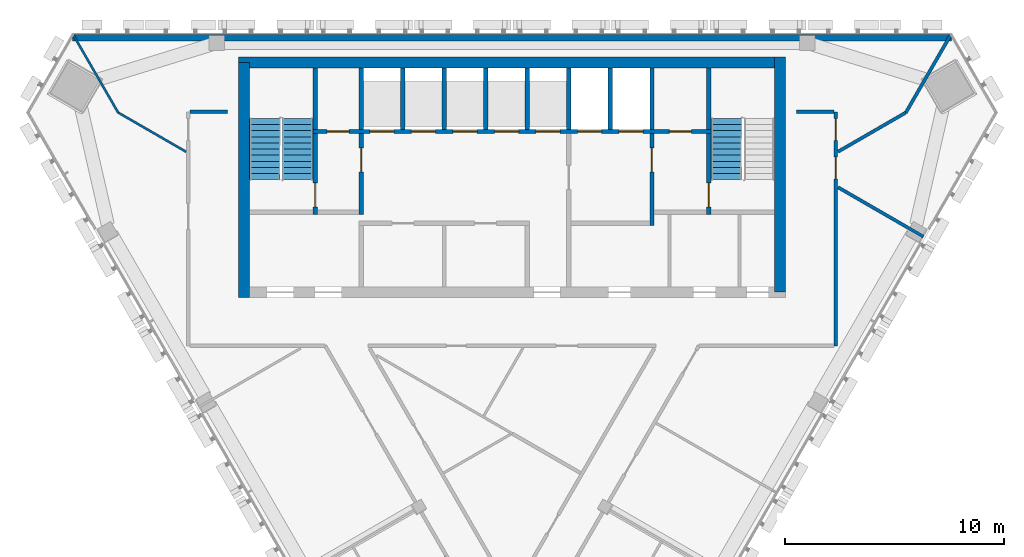
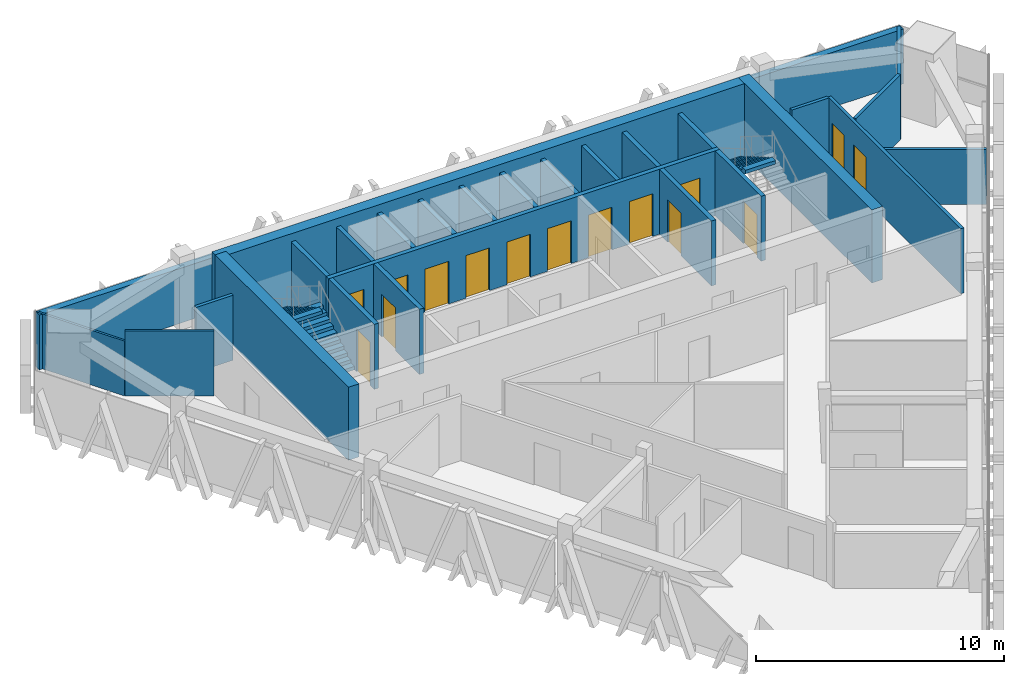
# One storey, part 9 of 12: 27 walls, 15 doors, 3 stair flights, 15 openings, 2 elements without a shape of their own.
"""IFC4 building model written with IfcOpenShell, lengths in metres."""

from ifc_helpers import new_model, si_unit, direction, frame, frame_2d, origin, place, context, subcontext, project, spatial, polyline, rectangle, outline, extrude, material, layer, layer_set, type_object, element, fill, aggregate, save


model = new_model("IFC4")

# Units and contexts
model_context = context("Model", 3, precision=1e-05, world=origin(), true_north=direction((0.0, 1.0)))
body_context = subcontext(model_context, "Body", "Model", "MODEL_VIEW")
ifc_project = project(units=[si_unit("LENGTHUNIT", "METRE"), si_unit("AREAUNIT", "SQUARE_METRE"), si_unit("VOLUMEUNIT", "CUBIC_METRE"), si_unit("PLANEANGLEUNIT", "RADIAN"), si_unit("MASSUNIT", "GRAM", prefix="KILO")], contexts=[model_context])

# Site, building, storey
site_placement = place(None, origin())
site = spatial("IfcSite", under=ifc_project, at=site_placement, CompositionType="ELEMENT")
building_placement = place(site_placement, origin())
building = spatial("IfcBuilding", under=site, at=building_placement, Name="Altiplano Prism Tower", CompositionType="ELEMENT")
storey_placement = place(building_placement, frame((0.0, 0.0, 298.60009765625)))
storey = spatial("IfcBuildingStorey", under=building, at=storey_placement, Name="L77", CompositionType="ELEMENT", Elevation=298.60009765625)

# Walls
ifc_material_1 = material(Name="Concrete C60/75", Category="concrete")
ifc_layer_1 = layer(ifc_material_1, 0.5)
ifc_layer_set_1 = layer_set([ifc_layer_1], Name="Concrete C60/75")
wall_type_1 = type_object("IfcWallType", Name="Core wall 500", PredefinedType="SHEAR", material=ifc_layer_set_1)
wall_1_placement = place(storey_placement, frame((97.25, 93.14990234375, 0.0), z_axis=(0.0, 0.0, 1.0), x_axis=(0.0, 1.0, 0.0)))
element("IfcWall", 1, at=wall_1_placement, inside=storey, type_object=wall_type_1, Name="Core wall E L77", PredefinedType="SHEAR", context=body_context, shape_type="SweptSolid", body=[
    extrude(rectangle(XDim=10.75, YDim=0.5, at=frame_2d((5.375, 0.0))), origin(), (0.0, 0.0, 1.0), 3.599853515625),
])
wall_2_placement = place(storey_placement, frame((97.25, 103.64990234375, 0.0), z_axis=(0.0, 0.0, 1.0), x_axis=(-1.0, 0.0, 0.0)))
element("IfcWall", 2, at=wall_2_placement, inside=storey, type_object=wall_type_1, Name="Core wall N L77", PredefinedType="SHEAR", context=body_context, shape_type="SweptSolid", body=[
    extrude(rectangle(XDim=24.75, YDim=0.5, at=frame_2d((12.375, 0.0))), origin(), (0.0, 0.0, 1.0), 3.599853515625),
])
wall_3_placement = place(storey_placement, frame((72.75, 103.64990234375, 0.0), z_axis=(0.0, 0.0, 1.0), x_axis=(0.0, -1.0, 0.0)))
element("IfcWall", 3, at=wall_3_placement, inside=storey, type_object=wall_type_1, Name="Core wall W L77", PredefinedType="SHEAR", context=body_context, shape_type="SweptSolid", body=[
    extrude(rectangle(XDim=10.75, YDim=0.5, at=frame_2d((5.375, 0.0))), origin(), (0.0, 0.0, 1.0), 3.599853515625),
])
ifc_material_2 = material(Name="Plasterboard on steel stud", Category="steel")
ifc_layer_2 = layer(ifc_material_2, 0.10009765625)
ifc_layer_set_2 = layer_set([ifc_layer_2], Name="Plasterboard on steel stud")
wall_type_2 = type_object("IfcWallType", Name="Partition 100 wet", PredefinedType="PARTITIONING", material=ifc_layer_set_2)
wall_4_placement = place(storey_placement, frame((70.099365234375, 99.5712890625, 0.0), z_axis=(0.0, 0.0, 1.0), x_axis=(-0.866036302968, 0.499981121585, 0.0)))
element("IfcWall", 4, at=wall_4_placement, inside=storey, type_object=wall_type_2, Name="Partition P03 L77 017", PredefinedType="PARTITIONING", context=body_context, shape_type="SweptSolid", body=[
    extrude(rectangle(XDim=3.594970703125, YDim=0.10009765625, at=frame_2d((1.79736328125, 0.0))), origin(), (0.0, 0.0, 1.0), 3.199951171875),
])
wall_5_placement = place(storey_placement, frame((66.986083984375, 101.36865234375, 0.0), z_axis=(0.0, 0.0, 1.0), x_axis=(-0.500009237349, 0.866020070533, 0.0)))
element("IfcWall", 5, at=wall_5_placement, inside=storey, type_object=wall_type_2, Name="Partition P03 L77 018", PredefinedType="PARTITIONING", context=body_context, shape_type="SweptSolid", body=[
    extrude(rectangle(XDim=4.07763671875, YDim=0.10009765625, at=frame_2d((2.038818359375, 0.0))), origin(), (0.0, 0.0, 1.0), 2.699951171875),
])

# Wall, openings, doors
ifc_layer_3 = layer(ifc_material_2, 0.14990234375)
ifc_layer_set_3 = layer_set([ifc_layer_3], Name="Plasterboard on steel stud")
wall_type_3 = type_object("IfcWallType", Name="Partition 150 corridor", PredefinedType="PARTITIONING", material=ifc_layer_set_3)
wall_6_placement = place(storey_placement, frame((99.800048828125, 90.699951171875, 0.0), z_axis=(0.0, 0.0, 1.0), x_axis=(6.844627e-05, 0.999999997658, 0.0)))
wall_6 = element("IfcWall", 6, at=wall_6_placement, inside=storey, type_object=wall_type_3, Name="Partition P06 L77 009", PredefinedType="PARTITIONING", context=body_context, shape_type="SweptSolid", body=[
    extrude(rectangle(XDim=10.70068359375, YDim=0.14990234375, at=frame_2d((5.350341796875, 0.0))), origin(), (0.0, 0.0, 1.0), 3.199951171875),
])
opening_1_placement = place(wall_6_placement, frame((7.633056640625, 0.0, 0.0)))
opening_1 = element("IfcOpeningElement", 7, at=opening_1_placement, cuts=wall_6, Name="Opening D2356", PredefinedType="OPENING", context=body_context, shape_type="SweptSolid", body=[
    extrude(rectangle(XDim=1.0, YDim=2.10009765625, at=frame_2d((0.5, 1.050048828125))), frame((0.0, 0.08544921875, 0.0), z_axis=(0.0, -1.0, 0.0), x_axis=(1.0, 0.0, 0.0)), (0.0, 0.0, 1.0), 0.1708984375),
])
opening_2_placement = place(wall_6_placement, frame((9.389892578125, 0.0, 0.0)))
opening_2 = element("IfcOpeningElement", 8, at=opening_2_placement, cuts=wall_6, Name="Opening D2357", PredefinedType="OPENING", context=body_context, shape_type="SweptSolid", body=[
    extrude(rectangle(XDim=1.0, YDim=2.10009765625, at=frame_2d((0.5, 1.050048828125))), frame((0.0, 0.08544921875, 0.0), z_axis=(0.0, -1.0, 0.0), x_axis=(1.0, 0.0, 0.0)), (0.0, 0.0, 1.0), 0.1708984375),
])
ifc_material_3 = material(Name="Timber", Category="wood")
door_type_1 = type_object("IfcDoorType", Name="Room door 1000 x 2100", OperationType="NOTDEFINED", PredefinedType="NOTDEFINED", material=ifc_material_3)
door_1_placement = place(opening_1_placement, origin())
door_1 = element("IfcDoor", 9, at=door_1_placement, inside=storey, type_object=door_type_1, Name="Door D2356", OperationType="SINGLE_SWING_RIGHT", OverallHeight=2.10009765625, OverallWidth=1.0, PredefinedType="NOTDEFINED", context=body_context, shape_type="SweptSolid", body=[
    extrude(rectangle(XDim=1.0, YDim=2.10009765625, at=frame_2d((0.5, 1.050048828125))), frame((0.0, 0.02490234375, 0.0), z_axis=(0.0, -1.0, 0.0), x_axis=(1.0, 0.0, 0.0)), (0.0, 0.0, 1.0), 0.050048828125),
])
fill(opening_1, door_1)
door_2_placement = place(opening_2_placement, origin())
door_2 = element("IfcDoor", 10, at=door_2_placement, inside=storey, type_object=door_type_1, Name="Door D2357", OperationType="SINGLE_SWING_RIGHT", OverallHeight=2.10009765625, OverallWidth=1.0, PredefinedType="NOTDEFINED", context=body_context, shape_type="SweptSolid", body=[
    extrude(rectangle(XDim=1.0, YDim=2.10009765625, at=frame_2d((0.5, 1.050048828125))), frame((0.0, 0.02490234375, 0.0), z_axis=(0.0, -1.0, 0.0), x_axis=(1.0, 0.0, 0.0)), (0.0, 0.0, 1.0), 0.050048828125),
])
fill(opening_2, door_2)

# Walls
for number, where, z_axis, x_axis, name in (
    (11, (99.7255859375, 101.400634765625, 0.0), (0.0, 0.0, 1.0), (-0.999999989991, 0.000141482738, 0.0), "Partition P06 L77 010"),
    (12, (72.0, 101.40087890625, 0.0), (0.0, 0.0, 1.0), (-0.999999989991, -0.000141482738, 0.0), "Partition P06 L77 011"),
):
    element("IfcWall", number, at=place(storey_placement, frame(where, z_axis=z_axis, x_axis=x_axis)), inside=storey, type_object=wall_type_3, Name=name, PredefinedType="PARTITIONING", context=body_context, shape_type="SweptSolid", body=[
        extrude(rectangle(XDim=1.7255859375, YDim=0.14990234375, at=frame_2d((0.86279296875, 0.0))), origin(), (0.0, 0.0, 1.0), 3.199951171875),
    ])
ifc_layer_4 = layer(ifc_material_2, 0.14990234375)
ifc_layer_set_4 = layer_set([ifc_layer_4], Name="Plasterboard on steel stud")
wall_type_4 = type_object("IfcWallType", Name="Partition 150 party", PredefinedType="PARTITIONING", material=ifc_layer_set_4)
wall_7_placement = place(storey_placement, frame((103.815185546875, 95.69384765625, 0.0), z_axis=(0.0, 0.0, 1.0), x_axis=(-0.866020461467, 0.500008560247, 0.0)))
element("IfcWall", 13, at=wall_7_placement, inside=storey, type_object=wall_type_4, Name="Partition P01 L77 030", PredefinedType="PARTITIONING", context=body_context, shape_type="SweptSolid", body=[
    extrude(rectangle(XDim=4.505859375, YDim=0.14990234375, at=frame_2d((2.2529296875, 0.0))), origin(), (0.0, 0.0, 1.0), 2.699951171875),
])
wall_8_placement = place(storey_placement, frame((105.052734375, 104.89990234375, 0.0), z_axis=(0.0, 0.0, 1.0), x_axis=(-0.500009237349, -0.866020070533, 0.0)))
element("IfcWall", 14, at=wall_8_placement, inside=storey, type_object=wall_type_4, Name="Partition P01 L77 031", PredefinedType="PARTITIONING", context=body_context, shape_type="SweptSolid", body=[
    extrude(rectangle(XDim=4.07763671875, YDim=0.14990234375, at=frame_2d((2.038818359375, 0.0))), origin(), (0.0, 0.0, 1.0), 2.699951171875),
])
wall_9_placement = place(storey_placement, frame((103.013916015625, 101.36865234375, 0.0), z_axis=(0.0, 0.0, 1.0), x_axis=(-0.866023212093, -0.500003796101, 0.0)))
element("IfcWall", 15, at=wall_9_placement, inside=storey, type_object=wall_type_4, Name="Partition P01 L77 032", PredefinedType="PARTITIONING", context=body_context, shape_type="SweptSolid", body=[
    extrude(rectangle(XDim=3.58056640625, YDim=0.14990234375, at=frame_2d((1.790283203125, 0.0))), origin(), (0.0, 0.0, 1.0), 3.199951171875),
])
ifc_layer_5 = layer(ifc_material_1, 0.199951171875)
ifc_layer_set_5 = layer_set([ifc_layer_5], Name="Concrete C60/75")
wall_type_5 = type_object("IfcWallType", Name="Shaft wall 200", PredefinedType="SOLIDWALL", material=ifc_layer_set_5)
for number, where, z_axis, x_axis, name in (
    (16, (78.10009765625, 100.60009765625, 0.0), (0.0, 0.0, 1.0), (0.0, 1.0, 0.0), "Shaft wall L77"),
    (17, (80.0, 100.60009765625, 0.0), (0.0, 0.0, 1.0), (0.0, 1.0, 0.0), "Shaft wall L77"),
    (18, (81.89990234375, 100.60009765625, 0.0), (0.0, 0.0, 1.0), (0.0, 1.0, 0.0), "Shaft wall L77"),
    (19, (83.800048828125, 100.60009765625, 0.0), (0.0, 0.0, 1.0), (0.0, 1.0, 0.0), "Shaft wall L77"),
    (20, (85.699951171875, 100.60009765625, 0.0), (0.0, 0.0, 1.0), (0.0, 1.0, 0.0), "Shaft wall L77"),
    (21, (87.60009765625, 100.60009765625, 0.0), (0.0, 0.0, 1.0), (0.0, 1.0, 0.0), "Shaft wall L77"),
    (22, (89.5, 100.60009765625, 0.0), (0.0, 0.0, 1.0), (0.0, 1.0, 0.0), "Shaft wall L77"),
    (23, (91.39990234375, 100.60009765625, 0.0), (0.0, 0.0, 1.0), (0.0, 1.0, 0.0), "Shaft wall L77"),
):
    element("IfcWall", number, at=place(storey_placement, frame(where, z_axis=z_axis, x_axis=x_axis)), inside=storey, type_object=wall_type_5, Name=name, PredefinedType="SOLIDWALL", context=body_context, shape_type="SweptSolid", body=[
        extrude(rectangle(XDim=2.7998046875, YDim=0.199951171875, at=frame_2d((1.39990234375, 0.0))), origin(), (0.0, 0.0, 1.0), 3.199951171875),
    ])

# Wall, opening, door
ifc_layer_6 = layer(ifc_material_1, 0.199951171875)
ifc_layer_set_6 = layer_set([ifc_layer_6], Name="Concrete C60/75")
wall_type_6 = type_object("IfcWallType", Name="Stair wall 200", PredefinedType="SOLIDWALL", material=ifc_layer_set_6)
wall_10_placement = place(storey_placement, frame((76.0, 96.699951171875, 0.0), z_axis=(0.0, 0.0, 1.0), x_axis=(0.0, 1.0, 0.0)))
wall_10 = element("IfcWall", 24, at=wall_10_placement, inside=storey, type_object=wall_type_6, Name="Stair wall L77", PredefinedType="SOLIDWALL", context=body_context, shape_type="SweptSolid", body=[
    extrude(rectangle(XDim=3.699951171875, YDim=0.199951171875, at=frame_2d((1.85009765625, 0.0))), origin(), (0.0, 0.0, 1.0), 3.199951171875),
])
opening_3_placement = place(wall_10_placement, frame((0.35009765625, 0.0, 0.0)))
opening_3 = element("IfcOpeningElement", 25, at=opening_3_placement, cuts=wall_10, Name="Opening D3663", PredefinedType="OPENING", context=body_context, shape_type="SweptSolid", body=[
    extrude(rectangle(XDim=1.10009765625, YDim=2.10009765625, at=frame_2d((0.550048828125, 1.050048828125))), frame((0.0, 0.1103515625, 0.0), z_axis=(0.0, -1.0, 0.0), x_axis=(1.0, 0.0, 0.0)), (0.0, 0.0, 1.0), 0.220947265625),
])
ifc_material_4 = material(Name="Fire-rated steel door", Category="steel")
door_type_2 = type_object("IfcDoorType", Name="Stair fire door 1100 x 2100", OperationType="NOTDEFINED", PredefinedType="NOTDEFINED", material=ifc_material_4)
door_3_placement = place(opening_3_placement, origin())
door_3 = element("IfcDoor", 26, at=door_3_placement, inside=storey, type_object=door_type_2, Name="Stair fire door D3663", OperationType="SINGLE_SWING_RIGHT", OverallHeight=2.10009765625, OverallWidth=1.10009765625, PredefinedType="NOTDEFINED", context=body_context, shape_type="SweptSolid", body=[
    extrude(rectangle(XDim=1.10009765625, YDim=2.10009765625, at=frame_2d((0.550048828125, 1.050048828125))), frame((0.0, 0.02490234375, 0.0), z_axis=(0.0, -1.0, 0.0), x_axis=(1.0, 0.0, 0.0)), (0.0, 0.0, 1.0), 0.050048828125),
])
fill(opening_3, door_3)

wall_11_placement = place(storey_placement, frame((94.0, 96.699951171875, 0.0), z_axis=(0.0, 0.0, 1.0), x_axis=(0.0, 1.0, 0.0)))
wall_11 = element("IfcWall", 27, at=wall_11_placement, inside=storey, type_object=wall_type_6, Name="Stair wall L77", PredefinedType="SOLIDWALL", context=body_context, shape_type="SweptSolid", body=[
    extrude(rectangle(XDim=3.699951171875, YDim=0.199951171875, at=frame_2d((1.85009765625, 0.0))), origin(), (0.0, 0.0, 1.0), 3.199951171875),
])
opening_4_placement = place(wall_11_placement, frame((0.35009765625, 0.0, 0.0)))
opening_4 = element("IfcOpeningElement", 28, at=opening_4_placement, cuts=wall_11, Name="Opening D3664", PredefinedType="OPENING", context=body_context, shape_type="SweptSolid", body=[
    extrude(rectangle(XDim=1.10009765625, YDim=2.10009765625, at=frame_2d((0.550048828125, 1.050048828125))), frame((0.0, 0.1103515625, 0.0), z_axis=(0.0, -1.0, 0.0), x_axis=(1.0, 0.0, 0.0)), (0.0, 0.0, 1.0), 0.220947265625),
])
door_4_placement = place(opening_4_placement, origin())
door_4 = element("IfcDoor", 29, at=door_4_placement, inside=storey, type_object=door_type_2, Name="Stair fire door D3664", OperationType="SINGLE_SWING_LEFT", OverallHeight=2.10009765625, OverallWidth=1.10009765625, PredefinedType="NOTDEFINED", context=body_context, shape_type="SweptSolid", body=[
    extrude(rectangle(XDim=1.10009765625, YDim=2.10009765625, at=frame_2d((0.550048828125, 1.050048828125))), frame((0.0, 0.02490234375, 0.0), z_axis=(0.0, -1.0, 0.0), x_axis=(1.0, 0.0, 0.0)), (0.0, 0.0, 1.0), 0.050048828125),
])
fill(opening_4, door_4)

# Wall, openings, doors
wall_12_placement = place(storey_placement, frame((75.89990234375, 100.5, 0.0), z_axis=(0.0, 0.0, 1.0), x_axis=(1.0, 0.0, 0.0)))
wall_12 = element("IfcWall", 30, at=wall_12_placement, inside=storey, type_object=wall_type_6, Name="Stair wall L77", PredefinedType="SOLIDWALL", context=body_context, shape_type="SweptSolid", body=[
    extrude(rectangle(XDim=18.2001953125, YDim=0.199951171875, at=frame_2d((9.10009765625, 0.0))), origin(), (0.0, 0.0, 1.0), 3.199951171875),
])
opening_5_placement = place(wall_12_placement, frame((2.60009765625, 0.0, 0.0)))
opening_5 = element("IfcOpeningElement", 31, at=opening_5_placement, cuts=wall_12, Name="Opening LD-HL1-L77", PredefinedType="OPENING", context=body_context, shape_type="SweptSolid", body=[
    extrude(rectangle(XDim=1.10009765625, YDim=2.10009765625, at=frame_2d((0.550048828125, 1.050048828125))), frame((0.0, 0.1103515625, 0.0), z_axis=(0.0, -1.0, 0.0), x_axis=(1.0, 0.0, 0.0)), (0.0, 0.0, 1.0), 0.220947265625),
])
opening_6_placement = place(wall_12_placement, frame((4.5, 0.0, 0.0)))
opening_6 = element("IfcOpeningElement", 32, at=opening_6_placement, cuts=wall_12, Name="Opening LD-HL2-L77", PredefinedType="OPENING", context=body_context, shape_type="SweptSolid", body=[
    extrude(rectangle(XDim=1.10009765625, YDim=2.10009765625, at=frame_2d((0.550048828125, 1.050048828125))), frame((0.0, 0.1103515625, 0.0), z_axis=(0.0, -1.0, 0.0), x_axis=(1.0, 0.0, 0.0)), (0.0, 0.0, 1.0), 0.220947265625),
])
opening_7_placement = place(wall_12_placement, frame((6.39990234375, 0.0, 0.0)))
opening_7 = element("IfcOpeningElement", 33, at=opening_7_placement, cuts=wall_12, Name="Opening LD-HL3-L77", PredefinedType="OPENING", context=body_context, shape_type="SweptSolid", body=[
    extrude(rectangle(XDim=1.10009765625, YDim=2.10009765625, at=frame_2d((0.550048828125, 1.050048828125))), frame((0.0, 0.1103515625, 0.0), z_axis=(0.0, -1.0, 0.0), x_axis=(1.0, 0.0, 0.0)), (0.0, 0.0, 1.0), 0.220947265625),
])
opening_8_placement = place(wall_12_placement, frame((8.300048828125, 0.0, 0.0)))
opening_8 = element("IfcOpeningElement", 34, at=opening_8_placement, cuts=wall_12, Name="Opening LD-HL4-L77", PredefinedType="OPENING", context=body_context, shape_type="SweptSolid", body=[
    extrude(rectangle(XDim=1.10009765625, YDim=2.10009765625, at=frame_2d((0.550048828125, 1.050048828125))), frame((0.0, 0.1103515625, 0.0), z_axis=(0.0, -1.0, 0.0), x_axis=(1.0, 0.0, 0.0)), (0.0, 0.0, 1.0), 0.220947265625),
])
opening_9_placement = place(wall_12_placement, frame((10.199951171875, 0.0, 0.0)))
opening_9 = element("IfcOpeningElement", 35, at=opening_9_placement, cuts=wall_12, Name="Opening LD-HL5-L77", PredefinedType="OPENING", context=body_context, shape_type="SweptSolid", body=[
    extrude(rectangle(XDim=1.10009765625, YDim=2.10009765625, at=frame_2d((0.550048828125, 1.050048828125))), frame((0.0, 0.1103515625, 0.0), z_axis=(0.0, -1.0, 0.0), x_axis=(1.0, 0.0, 0.0)), (0.0, 0.0, 1.0), 0.220947265625),
])
opening_10_placement = place(wall_12_placement, frame((12.10009765625, 0.0, 0.0)))
opening_10 = element("IfcOpeningElement", 36, at=opening_10_placement, cuts=wall_12, Name="Opening LD-FF1-L77", PredefinedType="OPENING", context=body_context, shape_type="SweptSolid", body=[
    extrude(rectangle(XDim=1.10009765625, YDim=2.10009765625, at=frame_2d((0.550048828125, 1.050048828125))), frame((0.0, 0.1103515625, 0.0), z_axis=(0.0, -1.0, 0.0), x_axis=(1.0, 0.0, 0.0)), (0.0, 0.0, 1.0), 0.220947265625),
])
opening_11_placement = place(wall_12_placement, frame((14.0, 0.0, 0.0)))
opening_11 = element("IfcOpeningElement", 37, at=opening_11_placement, cuts=wall_12, Name="Opening LD-FF2-L77", PredefinedType="OPENING", context=body_context, shape_type="SweptSolid", body=[
    extrude(rectangle(XDim=1.10009765625, YDim=2.10009765625, at=frame_2d((0.550048828125, 1.050048828125))), frame((0.0, 0.1103515625, 0.0), z_axis=(0.0, -1.0, 0.0), x_axis=(1.0, 0.0, 0.0)), (0.0, 0.0, 1.0), 0.220947265625),
])
opening_12_placement = place(wall_12_placement, frame((0.64990234375, 0.0, 0.0)))
opening_12 = element("IfcOpeningElement", 38, at=opening_12_placement, cuts=wall_12, Name="Opening D3671", PredefinedType="OPENING", context=body_context, shape_type="SweptSolid", body=[
    extrude(rectangle(XDim=1.0, YDim=2.10009765625, at=frame_2d((0.5, 1.050048828125))), frame((0.0, 0.1103515625, 0.0), z_axis=(0.0, -1.0, 0.0), x_axis=(1.0, 0.0, 0.0)), (0.0, 0.0, 1.0), 0.220947265625),
])
opening_13_placement = place(wall_12_placement, frame((16.300048828125, 0.0, 0.0)))
opening_13 = element("IfcOpeningElement", 39, at=opening_13_placement, cuts=wall_12, Name="Opening D3672", PredefinedType="OPENING", context=body_context, shape_type="SweptSolid", body=[
    extrude(rectangle(XDim=1.0, YDim=2.10009765625, at=frame_2d((0.5, 1.050048828125))), frame((0.0, 0.1103515625, 0.0), z_axis=(0.0, -1.0, 0.0), x_axis=(1.0, 0.0, 0.0)), (0.0, 0.0, 1.0), 0.220947265625),
])
door_type_3 = type_object("IfcDoorType", Name="Core room door 1000 x 2100", OperationType="NOTDEFINED", PredefinedType="NOTDEFINED", material=ifc_material_4)
door_5_placement = place(opening_12_placement, origin())
door_5 = element("IfcDoor", 40, at=door_5_placement, inside=storey, type_object=door_type_3, Name="Core room door D3671", OperationType="SINGLE_SWING_LEFT", OverallHeight=2.10009765625, OverallWidth=1.0, PredefinedType="NOTDEFINED", context=body_context, shape_type="SweptSolid", body=[
    extrude(rectangle(XDim=1.0, YDim=2.10009765625, at=frame_2d((0.5, 1.050048828125))), frame((0.0, 0.02490234375, 0.0), z_axis=(0.0, -1.0, 0.0), x_axis=(1.0, 0.0, 0.0)), (0.0, 0.0, 1.0), 0.050048828125),
])
fill(opening_12, door_5)
door_6_placement = place(opening_13_placement, origin())
door_6 = element("IfcDoor", 41, at=door_6_placement, inside=storey, type_object=door_type_3, Name="Core room door D3672", OperationType="SINGLE_SWING_RIGHT", OverallHeight=2.10009765625, OverallWidth=1.0, PredefinedType="NOTDEFINED", context=body_context, shape_type="SweptSolid", body=[
    extrude(rectangle(XDim=1.0, YDim=2.10009765625, at=frame_2d((0.5, 1.050048828125))), frame((0.0, 0.02490234375, 0.0), z_axis=(0.0, -1.0, 0.0), x_axis=(1.0, 0.0, 0.0)), (0.0, 0.0, 1.0), 0.050048828125),
])
fill(opening_13, door_6)
ifc_material_5 = material(Name="Stainless steel landing door", Category="steel")
door_type_4 = type_object("IfcDoorType", Name="Landing door 1100 x 2100", OperationType="NOTDEFINED", PredefinedType="NOTDEFINED", material=ifc_material_5)
door_7_placement = place(opening_5_placement, origin())
door_7 = element("IfcDoor", 42, at=door_7_placement, inside=storey, type_object=door_type_4, Name="Landing doors HL1", OperationType="SLIDING_TO_RIGHT", OverallHeight=2.10009765625, OverallWidth=1.10009765625, PredefinedType="NOTDEFINED", context=body_context, shape_type="SweptSolid", body=[
    extrude(rectangle(XDim=1.10009765625, YDim=2.10009765625, at=frame_2d((0.550048828125, 1.050048828125))), frame((0.0, 0.02490234375, 0.0), z_axis=(0.0, -1.0, 0.0), x_axis=(1.0, 0.0, 0.0)), (0.0, 0.0, 1.0), 0.050048828125),
])
fill(opening_5, door_7)
door_8_placement = place(opening_6_placement, origin())
door_8 = element("IfcDoor", 43, at=door_8_placement, inside=storey, type_object=door_type_4, Name="Landing doors HL2", OperationType="SLIDING_TO_LEFT", OverallHeight=2.10009765625, OverallWidth=1.10009765625, PredefinedType="NOTDEFINED", context=body_context, shape_type="SweptSolid", body=[
    extrude(rectangle(XDim=1.10009765625, YDim=2.10009765625, at=frame_2d((0.550048828125, 1.050048828125))), frame((0.0, 0.02490234375, 0.0), z_axis=(0.0, -1.0, 0.0), x_axis=(1.0, 0.0, 0.0)), (0.0, 0.0, 1.0), 0.050048828125),
])
fill(opening_6, door_8)
door_9_placement = place(opening_7_placement, origin())
door_9 = element("IfcDoor", 44, at=door_9_placement, inside=storey, type_object=door_type_4, Name="Landing doors HL3", OperationType="SLIDING_TO_RIGHT", OverallHeight=2.10009765625, OverallWidth=1.10009765625, PredefinedType="NOTDEFINED", context=body_context, shape_type="SweptSolid", body=[
    extrude(rectangle(XDim=1.10009765625, YDim=2.10009765625, at=frame_2d((0.550048828125, 1.050048828125))), frame((0.0, 0.02490234375, 0.0), z_axis=(0.0, -1.0, 0.0), x_axis=(1.0, 0.0, 0.0)), (0.0, 0.0, 1.0), 0.050048828125),
])
fill(opening_7, door_9)
door_10_placement = place(opening_8_placement, origin())
door_10 = element("IfcDoor", 45, at=door_10_placement, inside=storey, type_object=door_type_4, Name="Landing doors HL4", OperationType="SLIDING_TO_LEFT", OverallHeight=2.10009765625, OverallWidth=1.10009765625, PredefinedType="NOTDEFINED", context=body_context, shape_type="SweptSolid", body=[
    extrude(rectangle(XDim=1.10009765625, YDim=2.10009765625, at=frame_2d((0.550048828125, 1.050048828125))), frame((0.0, 0.02490234375, 0.0), z_axis=(0.0, -1.0, 0.0), x_axis=(1.0, 0.0, 0.0)), (0.0, 0.0, 1.0), 0.050048828125),
])
fill(opening_8, door_10)
door_11_placement = place(opening_9_placement, origin())
door_11 = element("IfcDoor", 46, at=door_11_placement, inside=storey, type_object=door_type_4, Name="Landing doors HL5", OperationType="SLIDING_TO_RIGHT", OverallHeight=2.10009765625, OverallWidth=1.10009765625, PredefinedType="NOTDEFINED", context=body_context, shape_type="SweptSolid", body=[
    extrude(rectangle(XDim=1.10009765625, YDim=2.10009765625, at=frame_2d((0.550048828125, 1.050048828125))), frame((0.0, 0.02490234375, 0.0), z_axis=(0.0, -1.0, 0.0), x_axis=(1.0, 0.0, 0.0)), (0.0, 0.0, 1.0), 0.050048828125),
])
fill(opening_9, door_11)
door_12_placement = place(opening_10_placement, origin())
door_12 = element("IfcDoor", 47, at=door_12_placement, inside=storey, type_object=door_type_4, Name="Landing doors FF1", OperationType="SLIDING_TO_RIGHT", OverallHeight=2.10009765625, OverallWidth=1.10009765625, PredefinedType="NOTDEFINED", context=body_context, shape_type="SweptSolid", body=[
    extrude(rectangle(XDim=1.10009765625, YDim=2.10009765625, at=frame_2d((0.550048828125, 1.050048828125))), frame((0.0, 0.02490234375, 0.0), z_axis=(0.0, -1.0, 0.0), x_axis=(1.0, 0.0, 0.0)), (0.0, 0.0, 1.0), 0.050048828125),
])
fill(opening_10, door_12)
door_13_placement = place(opening_11_placement, origin())
door_13 = element("IfcDoor", 48, at=door_13_placement, inside=storey, type_object=door_type_4, Name="Landing doors FF2", OperationType="SLIDING_TO_LEFT", OverallHeight=2.10009765625, OverallWidth=1.10009765625, PredefinedType="NOTDEFINED", context=body_context, shape_type="SweptSolid", body=[
    extrude(rectangle(XDim=1.10009765625, YDim=2.10009765625, at=frame_2d((0.550048828125, 1.050048828125))), frame((0.0, 0.02490234375, 0.0), z_axis=(0.0, -1.0, 0.0), x_axis=(1.0, 0.0, 0.0)), (0.0, 0.0, 1.0), 0.050048828125),
])
fill(opening_11, door_13)

# Walls
for number, where, z_axis, x_axis, name in (
    (49, (76.0, 100.60009765625, 0.0), (0.0, 0.0, 1.0), (0.0, 1.0, 0.0), "Stair wall L77"),
    (50, (94.0, 100.60009765625, 0.0), (0.0, 0.0, 1.0), (0.0, 1.0, 0.0), "Stair wall L77"),
):
    element("IfcWall", number, at=place(storey_placement, frame(where, z_axis=z_axis, x_axis=x_axis)), inside=storey, type_object=wall_type_6, Name=name, PredefinedType="SOLIDWALL", context=body_context, shape_type="SweptSolid", body=[
        extrude(rectangle(XDim=2.7998046875, YDim=0.199951171875, at=frame_2d((1.39990234375, 0.0))), origin(), (0.0, 0.0, 1.0), 3.199951171875),
    ])
ifc_material_6 = material(Name="Concrete C40", Category="concrete")
ifc_layer_7 = layer(ifc_material_6, 0.300048828125)
ifc_layer_set_7 = layer_set([ifc_layer_7], Name="Concrete C40")
wall_type_7 = type_object("IfcWallType", Name="Stone-clad external wall 300", PredefinedType="SOLIDWALL", material=ifc_layer_set_7)
wall_13_placement = place(storey_placement, frame((64.889404296875, 104.7900390625, 0.0), z_axis=(0.0, 0.0, 1.0), x_axis=(1.0, 0.0, 0.0)))
element("IfcWall", 51, at=wall_13_placement, inside=storey, type_object=wall_type_7, Name="External wall north face L77", PredefinedType="SOLIDWALL", context=body_context, shape_type="SweptSolid", body=[
    extrude(rectangle(XDim=40.22119140625, YDim=0.300048828125, at=frame_2d((20.110595703125, 0.0))), origin(), (0.0, 0.0, 1.0), 2.699951171875),
])

# Wall, opening, door
ifc_layer_8 = layer(ifc_material_1, 0.199951171875)
ifc_layer_set_8 = layer_set([ifc_layer_8], Name="Concrete C60/75")
wall_type_8 = type_object("IfcWallType", Name="Vestibule wall 200", PredefinedType="PARTITIONING", material=ifc_layer_set_8)
wall_14_placement = place(storey_placement, frame((91.39990234375, 96.199951171875, 0.0), z_axis=(0.0, 0.0, 1.0), x_axis=(0.0, 1.0, 0.0)))
wall_14 = element("IfcWall", 52, at=wall_14_placement, inside=storey, type_object=wall_type_8, Name="Vestibule wall L77", PredefinedType="PARTITIONING", context=body_context, shape_type="SweptSolid", body=[
    extrude(rectangle(XDim=4.199951171875, YDim=0.199951171875, at=frame_2d((2.10009765625, 0.0))), origin(), (0.0, 0.0, 1.0), 3.199951171875),
])
opening_14_placement = place(wall_14_placement, frame((2.449951171875, 0.0, 0.0)))
opening_14 = element("IfcOpeningElement", 53, at=opening_14_placement, cuts=wall_14, Name="Opening D3667", PredefinedType="OPENING", context=body_context, shape_type="SweptSolid", body=[
    extrude(rectangle(XDim=1.10009765625, YDim=2.10009765625, at=frame_2d((0.550048828125, 1.050048828125))), frame((0.0, 0.1103515625, 0.0), z_axis=(0.0, -1.0, 0.0), x_axis=(1.0, 0.0, 0.0)), (0.0, 0.0, 1.0), 0.220947265625),
])
door_type_5 = type_object("IfcDoorType", Name="Vestibule fire door 1100 x 2100", OperationType="NOTDEFINED", PredefinedType="NOTDEFINED", material=ifc_material_4)
door_14_placement = place(opening_14_placement, origin())
door_14 = element("IfcDoor", 54, at=door_14_placement, inside=storey, type_object=door_type_5, Name="Vestibule fire door D3667", OperationType="SINGLE_SWING_LEFT", OverallHeight=2.10009765625, OverallWidth=1.10009765625, PredefinedType="NOTDEFINED", context=body_context, shape_type="SweptSolid", body=[
    extrude(rectangle(XDim=1.10009765625, YDim=2.10009765625, at=frame_2d((0.550048828125, 1.050048828125))), frame((0.0, 0.02490234375, 0.0), z_axis=(0.0, -1.0, 0.0), x_axis=(1.0, 0.0, 0.0)), (0.0, 0.0, 1.0), 0.050048828125),
])
fill(opening_14, door_14)

wall_15_placement = place(storey_placement, frame((78.10009765625, 96.699951171875, 0.0), z_axis=(0.0, 0.0, 1.0), x_axis=(0.0, 1.0, 0.0)))
wall_15 = element("IfcWall", 55, at=wall_15_placement, inside=storey, type_object=wall_type_8, Name="Vestibule wall L77", PredefinedType="PARTITIONING", context=body_context, shape_type="SweptSolid", body=[
    extrude(rectangle(XDim=3.699951171875, YDim=0.199951171875, at=frame_2d((1.85009765625, 0.0))), origin(), (0.0, 0.0, 1.0), 3.199951171875),
])
opening_15_placement = place(wall_15_placement, frame((1.949951171875, 0.0, 0.0)))
opening_15 = element("IfcOpeningElement", 56, at=opening_15_placement, cuts=wall_15, Name="Opening D3665", PredefinedType="OPENING", context=body_context, shape_type="SweptSolid", body=[
    extrude(rectangle(XDim=1.10009765625, YDim=2.10009765625, at=frame_2d((0.550048828125, 1.050048828125))), frame((0.0, 0.1103515625, 0.0), z_axis=(0.0, -1.0, 0.0), x_axis=(1.0, 0.0, 0.0)), (0.0, 0.0, 1.0), 0.220947265625),
])
door_15_placement = place(opening_15_placement, origin())
door_15 = element("IfcDoor", 57, at=door_15_placement, inside=storey, type_object=door_type_5, Name="Vestibule fire door D3665", OperationType="SINGLE_SWING_LEFT", OverallHeight=2.10009765625, OverallWidth=1.10009765625, PredefinedType="NOTDEFINED", context=body_context, shape_type="SweptSolid", body=[
    extrude(rectangle(XDim=1.10009765625, YDim=2.10009765625, at=frame_2d((0.550048828125, 1.050048828125))), frame((0.0, 0.02490234375, 0.0), z_axis=(0.0, -1.0, 0.0), x_axis=(1.0, 0.0, 0.0)), (0.0, 0.0, 1.0), 0.050048828125),
])
fill(opening_15, door_15)

# Stair, stair flights
ifc_material_7 = material(Name="Concrete C40/50", Category="concrete")
stair_type = type_object("IfcStairType", Name="Exit stair 1400", PredefinedType="HALF_TURN_STAIR", material=ifc_material_7)
stair_1_placement = place(storey_placement, origin())
stair_1 = element("IfcStair", 58, at=stair_1_placement, inside=storey, type_object=stair_type, Name="L77 Exit Stair 1", PredefinedType="HALF_TURN_STAIR")
stair_flight_type = type_object("IfcStairFlightType", Name="Stair flight concrete 150", PredefinedType="STRAIGHT", material=ifc_material_7)
stair_flight_1_placement = place(storey_placement, frame((75.199951171875, 98.300048828125, 0.0), z_axis=(0.0, 0.0, 1.0), x_axis=(0.0, 1.0, 0.0)))
stair_flight_1 = element("IfcStairFlight", 59, at=stair_flight_1_placement, type_object=stair_flight_type, Name="ST1 flight 1", NumberOfRisers=11, NumberOfTreads=10, PredefinedType="STRAIGHT", RiserHeight=0.163636364, TreadLength=0.28, context=body_context, shape_type="SweptSolid", body=[
    extrude(outline(polyline([(0.0, 0.0), (0.0, 0.16357421875), (0.280029296875, 0.16357421875), (0.280029296875, 0.327392578125), (0.56005859375, 0.327392578125), (0.56005859375, 0.490966796875), (0.840087890625, 0.490966796875), (0.840087890625, 0.654541015625), (1.1201171875, 0.654541015625), (1.1201171875, 0.818115234375), (1.39990234375, 0.818115234375), (1.39990234375, 0.98193359375), (1.679931640625, 0.98193359375), (1.679931640625, 1.1455078125), (1.9599609375, 1.1455078125), (1.9599609375, 1.30908203125), (2.239990234375, 1.30908203125), (2.239990234375, 1.47265625), (2.52001953125, 1.47265625), (2.52001953125, 1.636474609375), (2.800048828125, 1.636474609375), (2.800048828125, 1.800048828125), (2.800048828125, 1.462646484375), (0.297119140625, 0.0), (0.0, 0.0)])), frame((0.0, 0.699951171875, 0.0), z_axis=(0.0, -1.0, 0.0), x_axis=(1.0, 0.0, 0.0)), (0.0, 0.0, 1.0), 1.39990234375),
])
stair_flight_2_placement = place(storey_placement, frame((73.699951171875, 101.10009765625, 1.7998046875), z_axis=(0.0, 0.0, 1.0), x_axis=(0.0, -1.0, 0.0)))
stair_flight_2 = element("IfcStairFlight", 60, at=stair_flight_2_placement, type_object=stair_flight_type, Name="ST1 flight 2", NumberOfRisers=11, NumberOfTreads=10, PredefinedType="STRAIGHT", RiserHeight=0.163636364, TreadLength=0.28, context=body_context, shape_type="SweptSolid", body=[
    extrude(outline(polyline([(0.0, 0.0), (0.0, 0.16357421875), (0.280029296875, 0.16357421875), (0.280029296875, 0.327392578125), (0.56005859375, 0.327392578125), (0.56005859375, 0.490966796875), (0.840087890625, 0.490966796875), (0.840087890625, 0.654541015625), (1.1201171875, 0.654541015625), (1.1201171875, 0.818115234375), (1.39990234375, 0.818115234375), (1.39990234375, 0.98193359375), (1.679931640625, 0.98193359375), (1.679931640625, 1.1455078125), (1.9599609375, 1.1455078125), (1.9599609375, 1.30908203125), (2.239990234375, 1.30908203125), (2.239990234375, 1.47265625), (2.52001953125, 1.47265625), (2.52001953125, 1.636474609375), (2.800048828125, 1.636474609375), (2.800048828125, 1.800048828125), (2.800048828125, 1.462646484375), (0.297119140625, 0.0), (0.0, 0.0)])), frame((0.0, 0.699951171875, 0.0), z_axis=(0.0, -1.0, 0.0), x_axis=(1.0, 0.0, 0.0)), (0.0, 0.0, 1.0), 1.39990234375),
])
aggregate(stair_1, [stair_flight_1, stair_flight_2])

# Stair, stair flight
stair_2_placement = place(storey_placement, origin())
stair_2 = element("IfcStair", 61, at=stair_2_placement, inside=storey, type_object=stair_type, Name="L77 Exit Stair 2", PredefinedType="HALF_TURN_STAIR")
stair_flight_3_placement = place(storey_placement, frame((94.800048828125, 101.10009765625, 1.7998046875), z_axis=(0.0, 0.0, 1.0), x_axis=(0.0, -1.0, 0.0)))
stair_flight_3 = element("IfcStairFlight", 62, at=stair_flight_3_placement, type_object=stair_flight_type, Name="ST2 flight 2", NumberOfRisers=11, NumberOfTreads=10, PredefinedType="STRAIGHT", RiserHeight=0.163636364, TreadLength=0.28, context=body_context, shape_type="SweptSolid", body=[
    extrude(outline(polyline([(0.0, 0.0), (0.0, 0.16357421875), (0.280029296875, 0.16357421875), (0.280029296875, 0.327392578125), (0.56005859375, 0.327392578125), (0.56005859375, 0.490966796875), (0.840087890625, 0.490966796875), (0.840087890625, 0.654541015625), (1.1201171875, 0.654541015625), (1.1201171875, 0.818115234375), (1.39990234375, 0.818115234375), (1.39990234375, 0.98193359375), (1.679931640625, 0.98193359375), (1.679931640625, 1.1455078125), (1.9599609375, 1.1455078125), (1.9599609375, 1.30908203125), (2.239990234375, 1.30908203125), (2.239990234375, 1.47265625), (2.52001953125, 1.47265625), (2.52001953125, 1.636474609375), (2.800048828125, 1.636474609375), (2.800048828125, 1.800048828125), (2.800048828125, 1.462646484375), (0.297119140625, 0.0), (0.0, 0.0)])), frame((0.0, 0.699951171875, 0.0), z_axis=(0.0, -1.0, 0.0), x_axis=(1.0, 0.0, 0.0)), (0.0, 0.0, 1.0), 1.39990234375),
])
aggregate(stair_2, [stair_flight_3])

save(model, "model.ifc")
